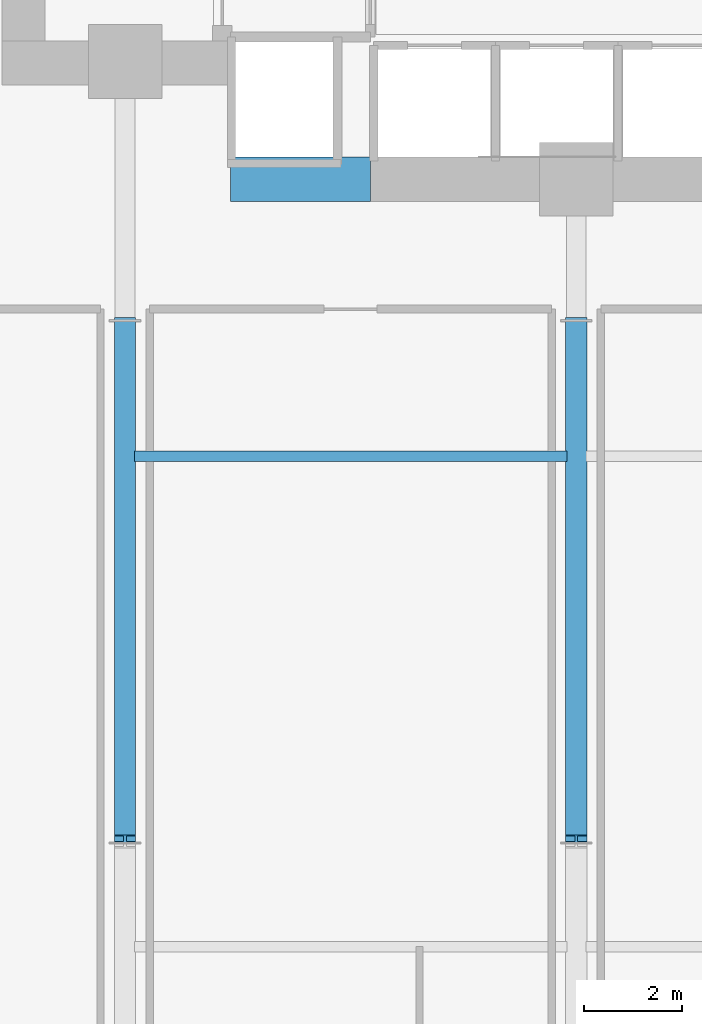
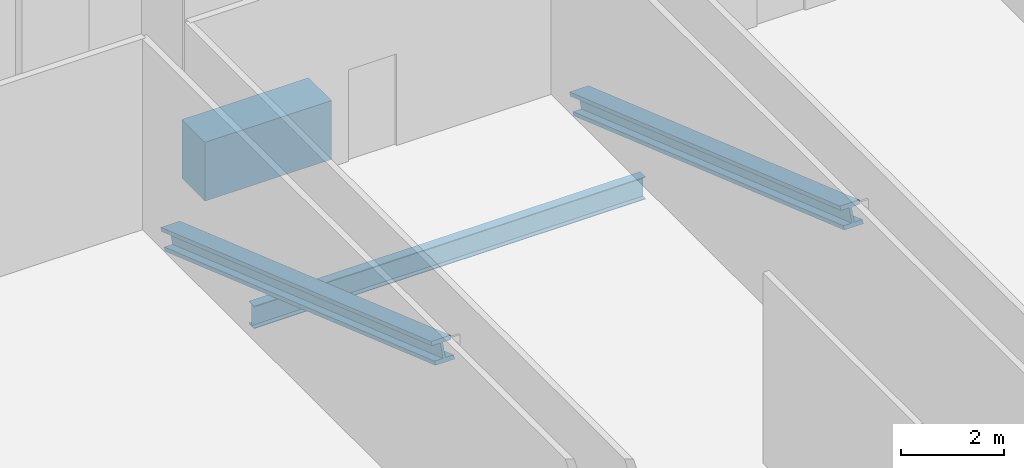
# One storey, part 8 of 33: 2 beams, 2 members.
"""IFC4 building model written with IfcOpenShell, lengths in metres."""

from ifc_helpers import new_model, si_unit, direction, frame, origin, origin_2d, place, context, subcontext, project, spatial, rectangle, i_section, extrude, material, material_profile, profile_set, type_object, element, save


model = new_model("IFC4")

# Units and contexts
model_context = context("Model", 3, precision=1e-05, world=origin(), true_north=direction((0.0, 1.0)))
body_context = subcontext(model_context, "Body", "Model", "MODEL_VIEW")
ifc_project = project(units=[si_unit("LENGTHUNIT", "METRE"), si_unit("AREAUNIT", "SQUARE_METRE"), si_unit("VOLUMEUNIT", "CUBIC_METRE"), si_unit("PLANEANGLEUNIT", "RADIAN"), si_unit("MASSUNIT", "GRAM", prefix="KILO")], contexts=[model_context])

# Site, building, storey
site_placement = place(None, origin())
site = spatial("IfcSite", under=ifc_project, at=site_placement, CompositionType="ELEMENT")
building_placement = place(site_placement, origin())
building = spatial("IfcBuilding", under=site, at=building_placement, Name="Zuhayl Quay Hotel", CompositionType="ELEMENT")
storey_placement = place(building_placement, frame((0.0, 0.0, 18.0)))
storey = spatial("IfcBuildingStorey", under=building, at=storey_placement, Name="L03", CompositionType="ELEMENT", Elevation=18.0)

# Beams
ifc_material_1 = material(Name="Concrete C60/75", Category="concrete")
ifc_material_profile_1 = material_profile(ifc_material_1, rectangle(XDim=0.89990234375, YDim=1.39990234375, at=origin_2d()), Name="RC900X1400")
ifc_profile_set_1 = profile_set([ifc_material_profile_1], Name="Concrete C60/75")
beam_type_1 = type_object("IfcBeamType", Name="BM_CB1_RC900", PredefinedType="T_BEAM", material=ifc_profile_set_1)
beam_1_placement = place(storey_placement, frame((-11.64990234375, 2.14990234375, -0.9599609375), z_axis=(1.0, 0.0, 0.0), x_axis=(0.0, 1.0, 0.0)))
element("IfcBeam", 1, at=beam_1_placement, inside=storey, type_object=beam_type_1, Name="L03 Core Coupling Beam SW", PredefinedType="T_BEAM", context=body_context, shape_type="SweptSolid", body=[
    extrude(rectangle(XDim=0.89990234375, YDim=1.39990234375, at=origin_2d()), origin(), (0.0, 0.0, 1.0), 2.849853515625),
])
ifc_material_2 = material(Name="Steel ASTM A992 Grade 50", Category="steel")
ifc_material_profile_2 = material_profile(ifc_material_2, i_section(OverallWidth=0.208984375, OverallDepth=0.532958984375, WebThickness=0.01025390625, FlangeThickness=0.015625, at=origin_2d()), Name="W21X62")
ifc_profile_set_2 = profile_set([ifc_material_profile_2], Name="Steel ASTM A992 Grade 50")
beam_type_2 = type_object("IfcBeamType", Name="BM_J1_W21X62", PredefinedType="JOIST", material=ifc_profile_set_2)
beam_2_placement = place(storey_placement, frame((-13.60595703125, -3.5, -0.526611328125), z_axis=(1.0, 0.0, 0.0), x_axis=(0.0, 1.0, 0.0)))
element("IfcBeam", 2, at=beam_2_placement, inside=storey, type_object=beam_type_2, Name="L03 Floor Beam J_POD_L03_3_1", PredefinedType="JOIST", context=body_context, shape_type="SweptSolid", body=[
    extrude(i_section(OverallWidth=0.208984375, OverallDepth=0.532958984375, WebThickness=0.01025390625, FlangeThickness=0.015625, at=origin_2d()), origin(), (0.0, 0.0, 1.0), 8.81201171875),
])

# Members
ifc_material_3 = material(Name="Steel ASTM A913 Grade 65", Category="steel")
ifc_material_profile_3 = material_profile(ifc_material_3, i_section(OverallWidth=0.431884765625, OverallDepth=0.498046875, WebThickness=0.0556640625, FlangeThickness=0.0888671875, at=origin_2d()), Name="W14X500")
ifc_profile_set_3 = profile_set([ifc_material_profile_3], Name="Steel ASTM A913 Grade 65")
member_type = type_object("IfcMemberType", Name="MB_TT_DIAG_500", PredefinedType="BRACE", material=ifc_profile_set_3)
for number, where, z_axis, x_axis, name in (
    (3, (-13.800048828125, -11.300048828125, 3.429931640625), (0.0, 0.944209030718, -0.32934678731), (-1.0, 0.0, 0.0), "L03 Ballroom Transfer Truss TT1-1 Diagonal 2"),
    (4, (-4.60009765625, -11.300048828125, 3.429931640625), (0.0, 0.944209030718, -0.32934678731), (-1.0, 0.0, 0.0), "L03 Ballroom Transfer Truss TT1-2 Diagonal 2"),
):
    element("IfcMember", number, at=place(storey_placement, frame(where, z_axis=z_axis, x_axis=x_axis)), inside=storey, type_object=member_type, Name=name, PredefinedType="BRACE", context=body_context, shape_type="SweptSolid", body=[
        extrude(i_section(OverallWidth=0.431884765625, OverallDepth=0.498046875, WebThickness=0.0556640625, FlangeThickness=0.0888671875, at=origin_2d()), origin(), (0.0, 0.0, 1.0), 11.17333984375),
    ])

save(model, "model.ifc")
